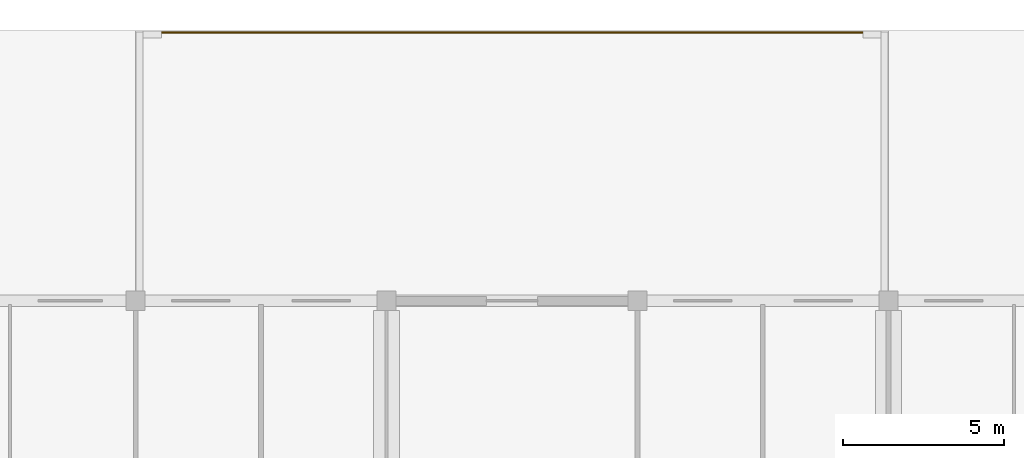
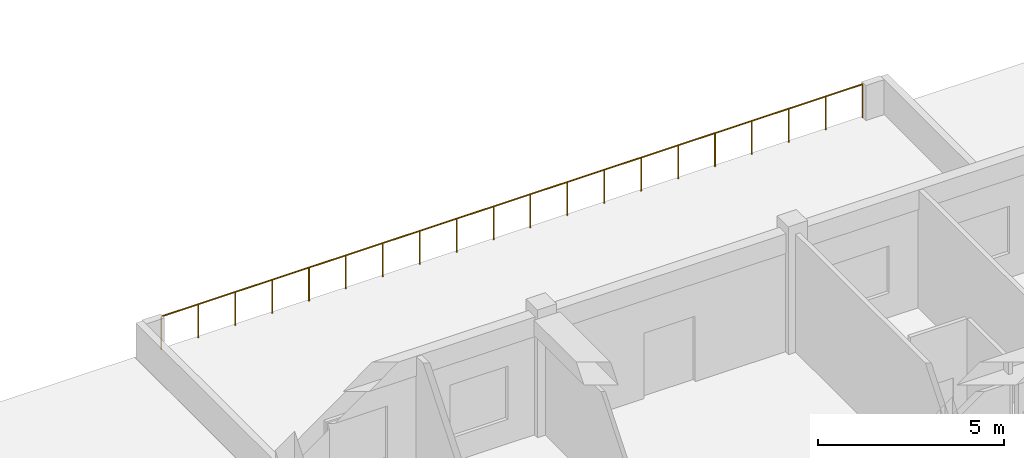
# One storey, part 32 of 32: 1 railing.
"""IFC4 building model written with IfcOpenShell, lengths in metres."""

from ifc_helpers import new_model, si_unit, direction, frame, origin, origin_2d, place, context, subcontext, project, spatial, circle, extrude, material, type_object, element, save


model = new_model("IFC4")

# Units and contexts
model_context = context("Model", 3, precision=1e-05, world=origin(), true_north=direction((0.0, 1.0)))
body_context = subcontext(model_context, "Body", "Model", "MODEL_VIEW")
ifc_project = project(units=[si_unit("LENGTHUNIT", "METRE"), si_unit("AREAUNIT", "SQUARE_METRE"), si_unit("VOLUMEUNIT", "CUBIC_METRE"), si_unit("PLANEANGLEUNIT", "RADIAN"), si_unit("MASSUNIT", "GRAM", prefix="KILO"), si_unit("THERMODYNAMICTEMPERATUREUNIT", "KELVIN"), si_unit("POWERUNIT", "WATT")], contexts=[model_context])

# Site, building, storey
site_placement = place(None, origin())
site = spatial("IfcSite", under=ifc_project, at=site_placement, CompositionType="ELEMENT")
building_placement = place(site_placement, origin())
building = spatial("IfcBuilding", under=site, at=building_placement, Name="Srebrne Nadtorze General Hospital", CompositionType="ELEMENT")
storey_placement = place(building_placement, frame((0.0, 0.0, 29.699951171875)))
storey = spatial("IfcBuildingStorey", under=building, at=storey_placement, Name="L07", CompositionType="ELEMENT", Elevation=29.699951171875)

# Railing
ifc_material = material(Name="Stainless Steel 316", Category="steel")
railing_type = type_object("IfcRailingType", Name="Perimeter safety guard 1120", PredefinedType="BALUSTRADE", material=ifc_material)
railing_placement = place(storey_placement, frame((110.0, 92.340087890625, 0.0)))
element("IfcRailing", 1, at=railing_placement, inside=storey, type_object=railing_type, Name="Terrace safety guard GR-L07-004", PredefinedType="BALUSTRADE", context=body_context, shape_type="SweptSolid", body=[
    extrude(circle(Radius=0.02392578125, at=origin_2d()), frame((0.0, 0.0, 1.09619140625), z_axis=(1.0, 0.0, 0.0), x_axis=(0.0, 1.0, 0.0)), (0.0, 0.0, 1.0), 21.800048828125),
    extrude(circle(Radius=0.02099609375, at=origin_2d()), origin(), (0.0, 0.0, 1.0), 1.072021484375),
    extrude(circle(Radius=0.02099609375, at=origin_2d()), frame((1.1474609375, 0.0, 0.0)), (0.0, 0.0, 1.0), 1.072021484375),
    extrude(circle(Radius=0.02099609375, at=origin_2d()), frame((2.294677734375, 0.0, 0.0)), (0.0, 0.0, 1.0), 1.072021484375),
    extrude(circle(Radius=0.02099609375, at=origin_2d()), frame((3.442138671875, 0.0, 0.0)), (0.0, 0.0, 1.0), 1.072021484375),
    extrude(circle(Radius=0.02099609375, at=origin_2d()), frame((4.589599609375, 0.0, 0.0)), (0.0, 0.0, 1.0), 1.072021484375),
    extrude(circle(Radius=0.02099609375, at=origin_2d()), frame((5.73681640625, 0.0, 0.0)), (0.0, 0.0, 1.0), 1.072021484375),
    extrude(circle(Radius=0.02099609375, at=origin_2d()), frame((6.88427734375, 0.0, 0.0)), (0.0, 0.0, 1.0), 1.072021484375),
    extrude(circle(Radius=0.02099609375, at=origin_2d()), frame((8.031494140625, 0.0, 0.0)), (0.0, 0.0, 1.0), 1.072021484375),
    extrude(circle(Radius=0.02099609375, at=origin_2d()), frame((9.178955078125, 0.0, 0.0)), (0.0, 0.0, 1.0), 1.072021484375),
    extrude(circle(Radius=0.02099609375, at=origin_2d()), frame((10.326416015625, 0.0, 0.0)), (0.0, 0.0, 1.0), 1.072021484375),
    extrude(circle(Radius=0.02099609375, at=origin_2d()), frame((11.4736328125, 0.0, 0.0)), (0.0, 0.0, 1.0), 1.072021484375),
    extrude(circle(Radius=0.02099609375, at=origin_2d()), frame((12.62109375, 0.0, 0.0)), (0.0, 0.0, 1.0), 1.072021484375),
    extrude(circle(Radius=0.02099609375, at=origin_2d()), frame((13.7685546875, 0.0, 0.0)), (0.0, 0.0, 1.0), 1.072021484375),
    extrude(circle(Radius=0.02099609375, at=origin_2d()), frame((14.915771484375, 0.0, 0.0)), (0.0, 0.0, 1.0), 1.072021484375),
    extrude(circle(Radius=0.02099609375, at=origin_2d()), frame((16.063232421875, 0.0, 0.0)), (0.0, 0.0, 1.0), 1.072021484375),
    extrude(circle(Radius=0.02099609375, at=origin_2d()), frame((17.21044921875, 0.0, 0.0)), (0.0, 0.0, 1.0), 1.072021484375),
    extrude(circle(Radius=0.02099609375, at=origin_2d()), frame((18.35791015625, 0.0, 0.0)), (0.0, 0.0, 1.0), 1.072021484375),
    extrude(circle(Radius=0.02099609375, at=origin_2d()), frame((19.50537109375, 0.0, 0.0)), (0.0, 0.0, 1.0), 1.072021484375),
    extrude(circle(Radius=0.02099609375, at=origin_2d()), frame((20.652587890625, 0.0, 0.0)), (0.0, 0.0, 1.0), 1.072021484375),
    extrude(circle(Radius=0.02099609375, at=origin_2d()), frame((21.800048828125, 0.0, 0.0)), (0.0, 0.0, 1.0), 1.072021484375),
])

save(model, "model.ifc")
